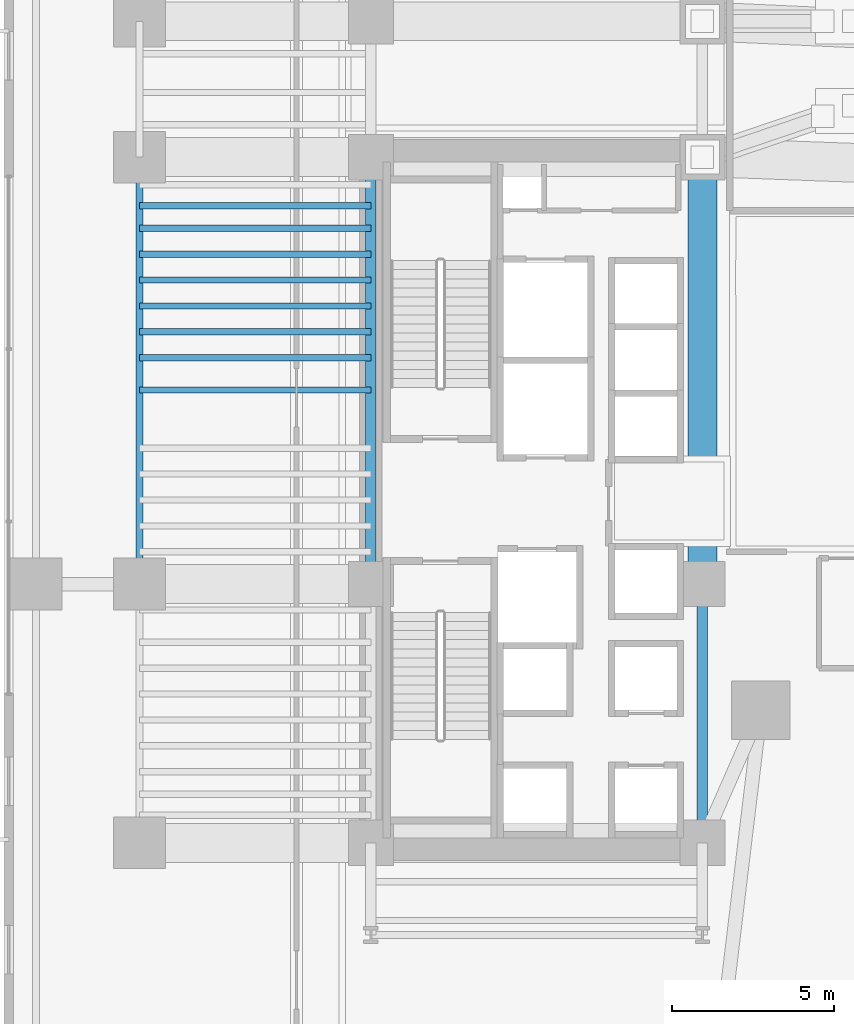
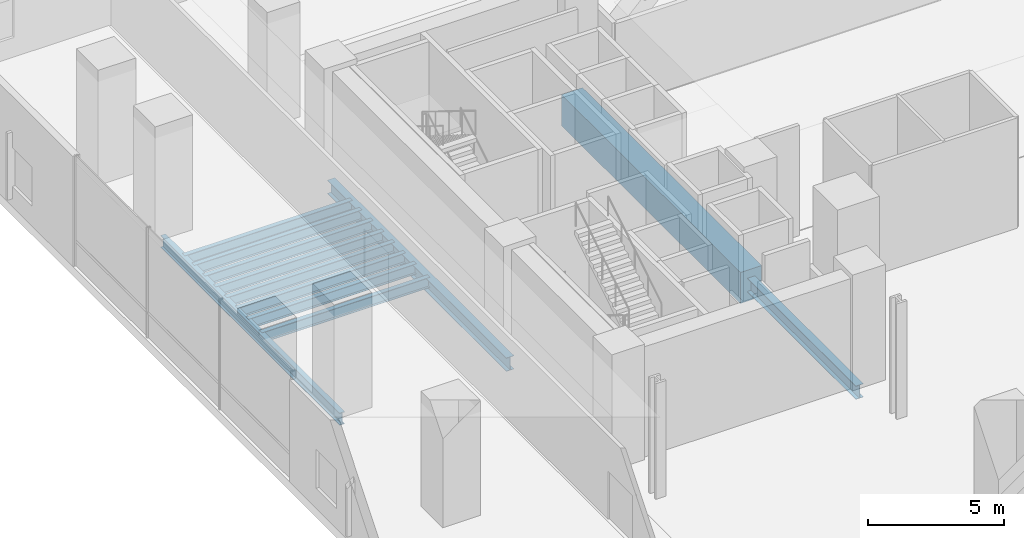
# One storey, part 7 of 41: 12 beams.
"""IFC4 building model written with IfcOpenShell, lengths in metres."""

from ifc_helpers import new_model, si_unit, direction, frame, origin, origin_2d, place, context, subcontext, project, spatial, rectangle, i_section, extrude, source, transform, mapped, material, material_profile, profile_set, type_object, element, save


model = new_model("IFC4")

# Units and contexts
model_context = context("Model", 3, precision=1e-05, world=origin(), true_north=direction((0.0, 1.0)))
body_context = subcontext(model_context, "Body", "Model", "MODEL_VIEW")
ifc_project = project(units=[si_unit("LENGTHUNIT", "METRE"), si_unit("AREAUNIT", "SQUARE_METRE"), si_unit("VOLUMEUNIT", "CUBIC_METRE"), si_unit("PLANEANGLEUNIT", "RADIAN"), si_unit("MASSUNIT", "GRAM", prefix="KILO")], contexts=[model_context])

# Site, building, storey
site_placement = place(None, origin())
site = spatial("IfcSite", under=ifc_project, at=site_placement, CompositionType="ELEMENT")
building_placement = place(site_placement, origin())
building = spatial("IfcBuilding", under=site, at=building_placement, Name="Valdorenza Pilgrim Sanctuary Tower", CompositionType="ELEMENT")
storey_placement = place(building_placement, frame((0.0, 0.0, 20.800048828125)))
storey = spatial("IfcBuildingStorey", under=building, at=storey_placement, Name="L04", CompositionType="ELEMENT", Elevation=20.800048828125)

# Beams
ifc_material_1 = material(Name="Concrete C60/75", Category="concrete")
ifc_material_profile_1 = material_profile(ifc_material_1, rectangle(XDim=0.89990234375, YDim=1.39990234375, at=origin_2d()), Name="RC 1400x900")
ifc_profile_set_1 = profile_set([ifc_material_profile_1], Name="Concrete C60/75")
beam_type_1 = type_object("IfcBeamType", Name="STR-BM-LNT-1400", PredefinedType="LINTEL", material=ifc_profile_set_1)
shared_shape_1 = source(origin(), body_context, "Body", "SweptSolid", [
    extrude(rectangle(XDim=0.89990234375, YDim=1.39990234375, at=origin_2d()), origin(), (0.0, 0.0, 1.0), 13.2001953125),
])
beam_1_placement = place(storey_placement, frame((-12.39990234375, -2.60009765625, -0.739990234375), z_axis=(0.0, 1.0, 0.0), x_axis=(-1.0, 0.0, 0.0)))
element("IfcBeam", 1, at=beam_1_placement, inside=storey, type_object=beam_type_1, Name="L04 Core A Coupling Lintel Girder", PredefinedType="LINTEL", context=body_context, shape_type="MappedRepresentation", body=[
    mapped(shared_shape_1, transform((0.0, 0.0, 0.0), x_axis=(1.0, 0.0, 0.0), y_axis=(0.0, 1.0, 0.0), z_axis=(0.0, 0.0, 1.0), scale=1.0)),
])
ifc_material_2 = material(Name="Steel ASTM A992 Grade 50", Category="steel")
ifc_material_profile_2 = material_profile(ifc_material_2, i_section(OverallWidth=0.323974609375, OverallDepth=0.611083984375, WebThickness=0.0126953125, FlangeThickness=0.01904296875, at=origin_2d()), Name="W24X104")
ifc_profile_set_2 = profile_set([ifc_material_profile_2], Name="Steel ASTM A992 Grade 50")
beam_type_2 = type_object("IfcBeamType", Name="STR-BM-GRD-W24B", PredefinedType="BEAM", material=ifc_profile_set_2)
shared_shape_2 = source(origin(), body_context, "Body", "SweptSolid", [
    extrude(i_section(OverallWidth=0.323974609375, OverallDepth=0.611083984375, WebThickness=0.0126953125, FlangeThickness=0.01904296875, at=origin_2d()), origin(), (0.0, 0.0, 1.0), 8.0),
])
beam_2_placement = place(storey_placement, frame((-12.39990234375, -10.60009765625, -0.70556640625), z_axis=(0.0, 1.0, 0.0), x_axis=(-1.0, 0.0, 0.0)))
element("IfcBeam", 2, at=beam_2_placement, inside=storey, type_object=beam_type_2, Name="L04 Core Tie Girder CA-E-S1M0", PredefinedType="BEAM", context=body_context, shape_type="MappedRepresentation", body=[
    mapped(shared_shape_2, transform((0.0, 0.0, 0.0), x_axis=(1.0, 0.0, 0.0), y_axis=(0.0, 1.0, 0.0), z_axis=(0.0, 0.0, 1.0), scale=1.0)),
])
ifc_material_profile_3 = material_profile(ifc_material_2, i_section(OverallWidth=0.214111328125, OverallDepth=0.549072265625, WebThickness=0.0146484375, FlangeThickness=0.023681640625, at=origin_2d()), Name="W21X93")
ifc_profile_set_3 = profile_set([ifc_material_profile_3], Name="Steel ASTM A992 Grade 50")
beam_type_3 = type_object("IfcBeamType", Name="STR-BM-SPN-W21A", PredefinedType="SPANDREL", material=ifc_profile_set_3)
shared_shape_3 = source(origin(), body_context, "Body", "SweptSolid", [
    extrude(i_section(OverallWidth=0.214111328125, OverallDepth=0.549072265625, WebThickness=0.0146484375, FlangeThickness=0.023681640625, at=origin_2d()), origin(), (0.0, 0.0, 1.0), 13.2001953125),
])
beam_3_placement = place(storey_placement, frame((-29.800048828125, -2.60009765625, -0.674560546875), z_axis=(0.0, 1.0, 0.0), x_axis=(-1.0, 0.0, 0.0)))
element("IfcBeam", 3, at=beam_3_placement, inside=storey, type_object=beam_type_3, Name="L04 Spandrel Beam WA-W-M0N1", PredefinedType="SPANDREL", context=body_context, shape_type="MappedRepresentation", body=[
    mapped(shared_shape_3, transform((0.0, 0.0, 0.0), x_axis=(1.0, 0.0, 0.0), y_axis=(0.0, 1.0, 0.0), z_axis=(0.0, 0.0, 1.0), scale=1.0)),
])
shared_shape_4 = source(origin(), body_context, "Body", "SweptSolid", [
    extrude(i_section(OverallWidth=0.323974609375, OverallDepth=0.611083984375, WebThickness=0.0126953125, FlangeThickness=0.01904296875, at=origin_2d()), origin(), (0.0, 0.0, 1.0), 13.2001953125),
])
beam_4_placement = place(storey_placement, frame((-22.64990234375, -2.60009765625, -0.70556640625), z_axis=(0.0, 1.0, 0.0), x_axis=(-1.0, 0.0, 0.0)))
element("IfcBeam", 4, at=beam_4_placement, inside=storey, type_object=beam_type_2, Name="L04 Core Tie Girder CA-W-M0N1", PredefinedType="BEAM", context=body_context, shape_type="MappedRepresentation", body=[
    mapped(shared_shape_4, transform((0.0, 0.0, 0.0), x_axis=(1.0, 0.0, 0.0), y_axis=(0.0, 1.0, 0.0), z_axis=(0.0, 0.0, 1.0), scale=1.0)),
])
ifc_material_profile_4 = material_profile(ifc_material_2, i_section(OverallWidth=0.193115234375, OverallDepth=0.466064453125, WebThickness=0.011474609375, FlangeThickness=0.01904296875, at=origin_2d()), Name="W18X65")
ifc_profile_set_4 = profile_set([ifc_material_profile_4], Name="Steel ASTM A992 Grade 50")
beam_type_4 = type_object("IfcBeamType", Name="STR-BM-JST-W18A", PredefinedType="JOIST", material=ifc_profile_set_4)
shared_shape_5 = source(origin(), body_context, "Body", "SweptSolid", [
    extrude(i_section(OverallWidth=0.193115234375, OverallDepth=0.466064453125, WebThickness=0.011474609375, FlangeThickness=0.01904296875, at=origin_2d()), origin(), (0.0, 0.0, 1.0), 7.150146484375),
])
for number, where, z_axis, x_axis, name in (
    (5, (-29.800048828125, 3.39990234375, -0.633056640625), (1.0, 0.0, 0.0), (0.0, 1.0, 0.0), "L04 Composite Floor Joist JST-WA-15"),
    (6, (-29.800048828125, 4.39990234375, -0.633056640625), (1.0, 0.0, 0.0), (0.0, 1.0, 0.0), "L04 Composite Floor Joist JST-WA-16"),
    (7, (-29.800048828125, 5.199951171875, -0.633056640625), (1.0, 0.0, 0.0), (0.0, 1.0, 0.0), "L04 Composite Floor Joist JST-WA-17"),
    (8, (-29.800048828125, 6.0, -0.633056640625), (1.0, 0.0, 0.0), (0.0, 1.0, 0.0), "L04 Composite Floor Joist JST-WA-18"),
    (9, (-29.800048828125, 6.800048828125, -0.633056640625), (1.0, 0.0, 0.0), (0.0, 1.0, 0.0), "L04 Composite Floor Joist JST-WA-19"),
    (10, (-29.800048828125, 7.60009765625, -0.633056640625), (1.0, 0.0, 0.0), (0.0, 1.0, 0.0), "L04 Composite Floor Joist JST-WA-20"),
    (11, (-29.800048828125, 8.39990234375, -0.633056640625), (1.0, 0.0, 0.0), (0.0, 1.0, 0.0), "L04 Composite Floor Joist JST-WA-21"),
    (12, (-29.800048828125, 9.10009765625, -0.633056640625), (1.0, 0.0, 0.0), (0.0, 1.0, 0.0), "L04 Composite Floor Joist JST-WA-22"),
):
    element("IfcBeam", number, at=place(storey_placement, frame(where, z_axis=z_axis, x_axis=x_axis)), inside=storey, type_object=beam_type_4, Name=name, PredefinedType="JOIST", context=body_context, shape_type="MappedRepresentation", body=[
        mapped(shared_shape_5, transform((0.0, 0.0, 0.0), x_axis=(1.0, 0.0, 0.0), y_axis=(0.0, 1.0, 0.0), z_axis=(0.0, 0.0, 1.0), scale=1.0)),
    ])

save(model, "model.ifc")
